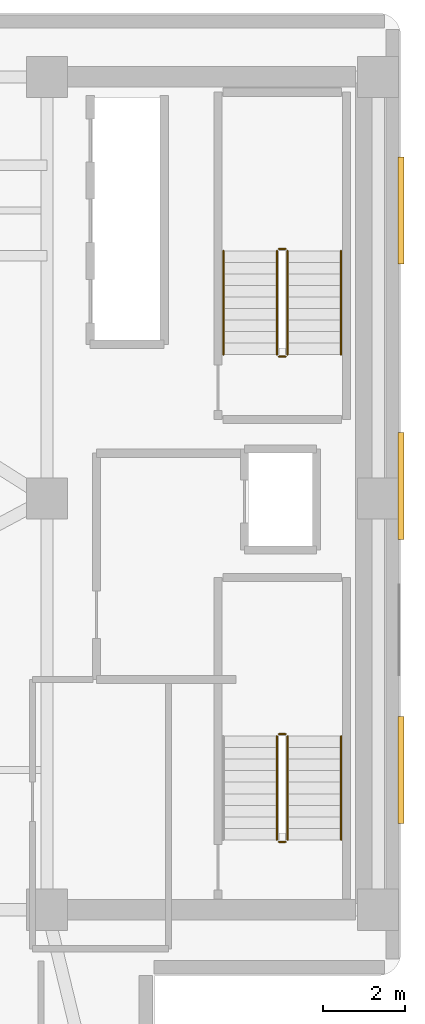
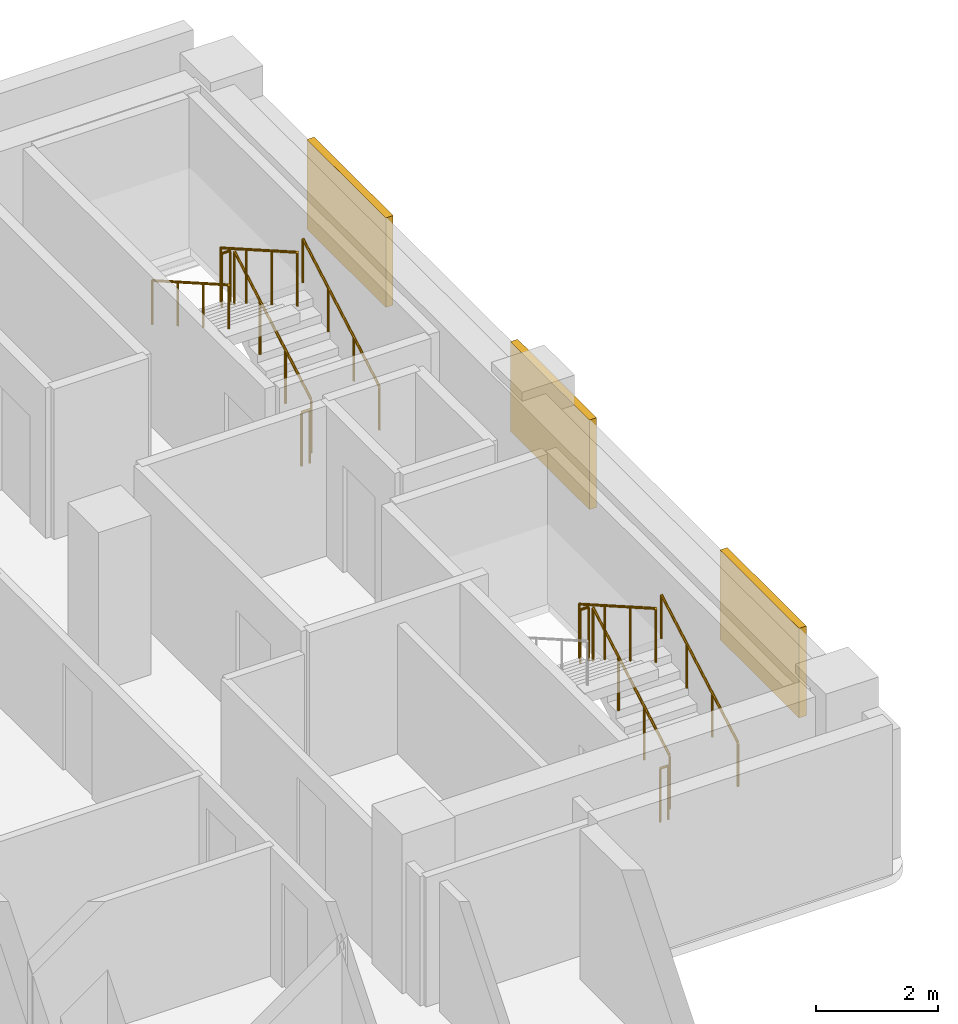
# One storey, part 16 of 16: 11 railings, 3 shading devices.
"""IFC4 building model written with IfcOpenShell, lengths in metres."""

from ifc_helpers import new_model, si_unit, direction, frame, origin, origin_2d, place, context, subcontext, project, spatial, rectangle, circle, extrude, material, layer, layer_set, type_object, element, save


model = new_model("IFC4")

# Units and contexts
model_context = context("Model", 3, precision=1e-05, world=origin(), true_north=direction((0.0, 1.0)))
body_context = subcontext(model_context, "Body", "Model", "MODEL_VIEW")
ifc_project = project(units=[si_unit("LENGTHUNIT", "METRE"), si_unit("AREAUNIT", "SQUARE_METRE"), si_unit("VOLUMEUNIT", "CUBIC_METRE"), si_unit("PLANEANGLEUNIT", "RADIAN"), si_unit("MASSUNIT", "GRAM", prefix="KILO")], contexts=[model_context])

# Site, building, storey
site_placement = place(None, origin())
site = spatial("IfcSite", under=ifc_project, at=site_placement, CompositionType="ELEMENT")
building_placement = place(site_placement, origin())
building = spatial("IfcBuilding", under=site, at=building_placement, Name="Kuzgunbayir Cultural Tower", CompositionType="ELEMENT")
storey_placement = place(building_placement, frame((0.0, 0.0, 66.0)))
storey = spatial("IfcBuildingStorey", under=building, at=storey_placement, Name="L18", CompositionType="ELEMENT", Elevation=66.0)

# Railings
ifc_material_1 = material(Name="Brushed Stainless Steel", Category="steel")
ifc_layer_1 = layer(ifc_material_1, 0.050048828125)
ifc_layer_set_1 = layer_set([ifc_layer_1], Name="Brushed Stainless Steel")
railing_type_1 = type_object("IfcRailingType", Name="RLG-STAIR-HANDRAIL", PredefinedType="HANDRAIL", material=ifc_layer_set_1)
for number, where, name in (
    (1, (71.75, 23.699951171875, 0.159912109375), "L18 ST-3 stair handrail 1"),
    (2, (71.75, 35.5, 0.159912109375), "L18 ST-4 stair handrail 1"),
):
    element("IfcRailing", number, at=place(storey_placement, frame(where)), inside=storey, type_object=railing_type_1, Name=name, PredefinedType="HANDRAIL", context=body_context, shape_type="SweptSolid", body=[
        extrude(circle(Radius=0.02392578125, at=origin_2d()), frame((0.0, 0.0, 0.8759765625), z_axis=(0.0, 0.868217259934, 0.496184229447), x_axis=(-1.0, 0.0, 0.0)), (0.0, 0.0, 1.0), 2.902587890625),
        extrude(circle(Radius=0.02099609375, at=origin_2d()), origin(), (0.0, 0.0, 1.0), 0.851806640625),
        extrude(circle(Radius=0.02099609375, at=origin_2d()), frame((0.0, 0.840087890625, 0.47998046875)), (0.0, 0.0, 1.0), 0.851806640625),
        extrude(circle(Radius=0.02099609375, at=origin_2d()), frame((0.0, 1.679931640625, 0.960205078125)), (0.0, 0.0, 1.0), 0.851806640625),
        extrude(circle(Radius=0.02099609375, at=origin_2d()), frame((0.0, 2.52001953125, 1.440185546875)), (0.0, 0.0, 1.0), 0.851806640625),
    ])
railing_1_placement = place(storey_placement, frame((68.889892578125, 38.02001953125, 1.760009765625)))
element("IfcRailing", 3, at=railing_1_placement, inside=storey, type_object=railing_type_1, Name="L18 ST-4 stair handrail 2", PredefinedType="HANDRAIL", context=body_context, shape_type="SweptSolid", body=[
    extrude(circle(Radius=0.02392578125, at=origin_2d()), frame((0.0, 0.0, 0.8759765625), z_axis=(0.0, -0.868253494771, 0.496120820787), x_axis=(1.0, 0.0, 0.0)), (0.0, 0.0, 1.0), 2.90234375),
    extrude(circle(Radius=0.02099609375, at=origin_2d()), origin(), (0.0, 0.0, 1.0), 0.851806640625),
    extrude(circle(Radius=0.02099609375, at=origin_2d()), frame((0.0, -0.840087890625, 0.47998046875)), (0.0, 0.0, 1.0), 0.851806640625),
    extrude(circle(Radius=0.02099609375, at=origin_2d()), frame((0.0, -1.679931640625, 0.9599609375)), (0.0, 0.0, 1.0), 0.851806640625),
    extrude(circle(Radius=0.02099609375, at=origin_2d()), frame((0.0, -2.52001953125, 1.43994140625)), (0.0, 0.0, 1.0), 0.851806640625),
])
ifc_material_2 = material(Name="Painted Steel Balustrade", Category="steel")
ifc_layer_2 = layer(ifc_material_2, 0.06005859375)
ifc_layer_set_2 = layer_set([ifc_layer_2], Name="Painted Steel Balustrade")
railing_type_2 = type_object("IfcRailingType", Name="RLG-WELL-GUARD", PredefinedType="GUARDRAIL", material=ifc_layer_set_2)
railing_2_placement = place(storey_placement, frame((70.449951171875, 23.699951171875, 0.159912109375)))
element("IfcRailing", 4, at=railing_2_placement, inside=storey, type_object=railing_type_2, Name="L18 ST-3 stair guard 1", PredefinedType="GUARDRAIL", context=body_context, shape_type="SweptSolid", body=[
    extrude(circle(Radius=0.02392578125, at=origin_2d()), frame((0.0, 0.0, 1.076171875), z_axis=(0.0, 0.868217259934, 0.496184229447), x_axis=(-1.0, 0.0, 0.0)), (0.0, 0.0, 1.0), 2.902587890625),
    extrude(circle(Radius=0.02099609375, at=origin_2d()), origin(), (0.0, 0.0, 1.0), 1.052001953125),
    extrude(circle(Radius=0.02099609375, at=origin_2d()), frame((0.0, 0.840087890625, 0.47998046875)), (0.0, 0.0, 1.0), 1.052001953125),
    extrude(circle(Radius=0.02099609375, at=origin_2d()), frame((0.0, 1.679931640625, 0.960205078125)), (0.0, 0.0, 1.0), 1.052001953125),
    extrude(circle(Radius=0.02099609375, at=origin_2d()), frame((0.0, 2.52001953125, 1.440185546875)), (0.0, 0.0, 1.0), 1.052001953125),
])
railing_3_placement = place(storey_placement, frame((70.39990234375, 26.27001953125, 1.60009765625)))
element("IfcRailing", 5, at=railing_3_placement, inside=storey, type_object=railing_type_2, Name="L18 ST-3 stair guard 2", PredefinedType="GUARDRAIL", context=body_context, shape_type="SweptSolid", body=[
    extrude(circle(Radius=0.02392578125, at=origin_2d()), frame((0.0, 0.0, 1.076171875), z_axis=(-1.0, 0.0, 0.0), x_axis=(0.0, -1.0, 0.0)), (0.0, 0.0, 1.0), 0.159912109375),
    extrude(circle(Radius=0.02099609375, at=origin_2d()), origin(), (0.0, 0.0, 1.0), 1.052001953125),
    extrude(circle(Radius=0.02099609375, at=origin_2d()), frame((-0.159912109375, 0.0, 0.0)), (0.0, 0.0, 1.0), 1.052001953125),
])
railing_4_placement = place(storey_placement, frame((70.18994140625, 26.219970703125, 1.760009765625)))
element("IfcRailing", 6, at=railing_4_placement, inside=storey, type_object=railing_type_2, Name="L18 ST-3 stair guard 3", PredefinedType="GUARDRAIL", context=body_context, shape_type="SweptSolid", body=[
    extrude(circle(Radius=0.02392578125, at=origin_2d()), frame((0.0, 0.0, 1.076171875), z_axis=(0.0, -0.868253494771, 0.496120820787), x_axis=(1.0, 0.0, 0.0)), (0.0, 0.0, 1.0), 2.90234375),
    extrude(circle(Radius=0.02099609375, at=origin_2d()), origin(), (0.0, 0.0, 1.0), 1.052001953125),
    extrude(circle(Radius=0.02099609375, at=origin_2d()), frame((0.0, -0.840087890625, 0.47998046875)), (0.0, 0.0, 1.0), 1.052001953125),
    extrude(circle(Radius=0.02099609375, at=origin_2d()), frame((0.0, -1.679931640625, 0.9599609375)), (0.0, 0.0, 1.0), 1.052001953125),
    extrude(circle(Radius=0.02099609375, at=origin_2d()), frame((0.0, -2.52001953125, 1.43994140625)), (0.0, 0.0, 1.0), 1.052001953125),
])
railing_5_placement = place(storey_placement, frame((70.39990234375, 23.64990234375, 0.0)))
element("IfcRailing", 7, at=railing_5_placement, inside=storey, type_object=railing_type_2, Name="L18 ST-3 stair guard 4", PredefinedType="GUARDRAIL", context=body_context, shape_type="SweptSolid", body=[
    extrude(circle(Radius=0.02392578125, at=origin_2d()), frame((0.0, 0.0, 1.076171875), z_axis=(-1.0, 0.0, 0.0), x_axis=(0.0, -1.0, 0.0)), (0.0, 0.0, 1.0), 0.159912109375),
    extrude(circle(Radius=0.02099609375, at=origin_2d()), origin(), (0.0, 0.0, 1.0), 1.052001953125),
    extrude(circle(Radius=0.02099609375, at=origin_2d()), frame((-0.159912109375, 0.0, 0.0)), (0.0, 0.0, 1.0), 1.052001953125),
])
railing_6_placement = place(storey_placement, frame((70.449951171875, 35.5, 0.159912109375)))
element("IfcRailing", 8, at=railing_6_placement, inside=storey, type_object=railing_type_2, Name="L18 ST-4 stair guard 1", PredefinedType="GUARDRAIL", context=body_context, shape_type="SweptSolid", body=[
    extrude(circle(Radius=0.02392578125, at=origin_2d()), frame((0.0, 0.0, 1.076171875), z_axis=(0.0, 0.868217259934, 0.496184229447), x_axis=(-1.0, 0.0, 0.0)), (0.0, 0.0, 1.0), 2.902587890625),
    extrude(circle(Radius=0.02099609375, at=origin_2d()), origin(), (0.0, 0.0, 1.0), 1.052001953125),
    extrude(circle(Radius=0.02099609375, at=origin_2d()), frame((0.0, 0.840087890625, 0.47998046875)), (0.0, 0.0, 1.0), 1.052001953125),
    extrude(circle(Radius=0.02099609375, at=origin_2d()), frame((0.0, 1.679931640625, 0.960205078125)), (0.0, 0.0, 1.0), 1.052001953125),
    extrude(circle(Radius=0.02099609375, at=origin_2d()), frame((0.0, 2.52001953125, 1.440185546875)), (0.0, 0.0, 1.0), 1.052001953125),
])
railing_7_placement = place(storey_placement, frame((70.39990234375, 38.070068359375, 1.60009765625)))
element("IfcRailing", 9, at=railing_7_placement, inside=storey, type_object=railing_type_2, Name="L18 ST-4 stair guard 2", PredefinedType="GUARDRAIL", context=body_context, shape_type="SweptSolid", body=[
    extrude(circle(Radius=0.02392578125, at=origin_2d()), frame((0.0, 0.0, 1.076171875), z_axis=(-1.0, 0.0, 0.0), x_axis=(0.0, -1.0, 0.0)), (0.0, 0.0, 1.0), 0.159912109375),
    extrude(circle(Radius=0.02099609375, at=origin_2d()), origin(), (0.0, 0.0, 1.0), 1.052001953125),
    extrude(circle(Radius=0.02099609375, at=origin_2d()), frame((-0.159912109375, 0.0, 0.0)), (0.0, 0.0, 1.0), 1.052001953125),
])
railing_8_placement = place(storey_placement, frame((70.18994140625, 38.02001953125, 1.760009765625)))
element("IfcRailing", 10, at=railing_8_placement, inside=storey, type_object=railing_type_2, Name="L18 ST-4 stair guard 3", PredefinedType="GUARDRAIL", context=body_context, shape_type="SweptSolid", body=[
    extrude(circle(Radius=0.02392578125, at=origin_2d()), frame((0.0, 0.0, 1.076171875), z_axis=(0.0, -0.868253494771, 0.496120820787), x_axis=(1.0, 0.0, 0.0)), (0.0, 0.0, 1.0), 2.90234375),
    extrude(circle(Radius=0.02099609375, at=origin_2d()), origin(), (0.0, 0.0, 1.0), 1.052001953125),
    extrude(circle(Radius=0.02099609375, at=origin_2d()), frame((0.0, -0.840087890625, 0.47998046875)), (0.0, 0.0, 1.0), 1.052001953125),
    extrude(circle(Radius=0.02099609375, at=origin_2d()), frame((0.0, -1.679931640625, 0.9599609375)), (0.0, 0.0, 1.0), 1.052001953125),
    extrude(circle(Radius=0.02099609375, at=origin_2d()), frame((0.0, -2.52001953125, 1.43994140625)), (0.0, 0.0, 1.0), 1.052001953125),
])
railing_9_placement = place(storey_placement, frame((70.39990234375, 35.449951171875, 0.0)))
element("IfcRailing", 11, at=railing_9_placement, inside=storey, type_object=railing_type_2, Name="L18 ST-4 stair guard 4", PredefinedType="GUARDRAIL", context=body_context, shape_type="SweptSolid", body=[
    extrude(circle(Radius=0.02392578125, at=origin_2d()), frame((0.0, 0.0, 1.076171875), z_axis=(-1.0, 0.0, 0.0), x_axis=(0.0, -1.0, 0.0)), (0.0, 0.0, 1.0), 0.159912109375),
    extrude(circle(Radius=0.02099609375, at=origin_2d()), origin(), (0.0, 0.0, 1.0), 1.052001953125),
    extrude(circle(Radius=0.02099609375, at=origin_2d()), frame((-0.159912109375, 0.0, 0.0)), (0.0, 0.0, 1.0), 1.052001953125),
])

# Shading devices
ifc_material_3 = material(Name="Perforated Bronze-Anodised Aluminium", Category="aluminium")
shading_device_type = type_object("IfcShadingDeviceType", Name="SHD-SOLAR-BRONZE", PredefinedType="JALOUSIE", material=ifc_material_3)
for number, where, z_axis, x_axis, name in (
    (12, (73.2099609375, 25.39990234375, 0.7998046875), (0.0, 0.0, 1.0), (1.0, 0.0, 0.0), "L18 Companion East Bronze Solar Screen 25"),
    (13, (73.2099609375, 32.300048828125, 0.7998046875), (0.0, 0.0, 1.0), (1.0, 0.0, 0.0), "L18 Companion East Bronze Solar Screen 32"),
    (14, (73.2099609375, 39.0, 0.7998046875), (0.0, 0.0, 1.0), (1.0, 0.0, 0.0), "L18 Companion East Bronze Solar Screen 39"),
):
    element("IfcShadingDevice", number, at=place(storey_placement, frame(where, z_axis=z_axis, x_axis=x_axis)), inside=storey, type_object=shading_device_type, Name=name, PredefinedType="JALOUSIE", context=body_context, shape_type="SweptSolid", body=[
        extrude(rectangle(XDim=0.139892578125, YDim=2.60009765625, at=origin_2d()), origin(), (0.0, 0.0, 1.0), 1.800048828125),
    ])

save(model, "model.ifc")
